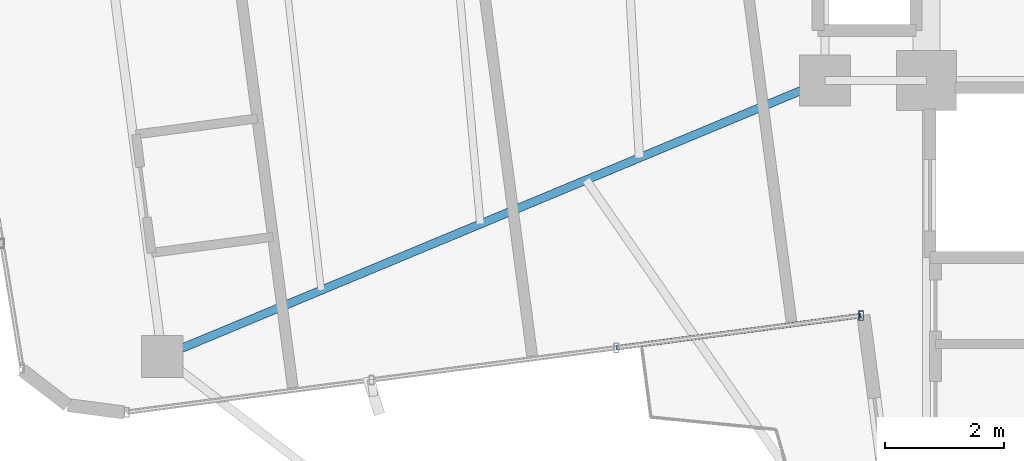
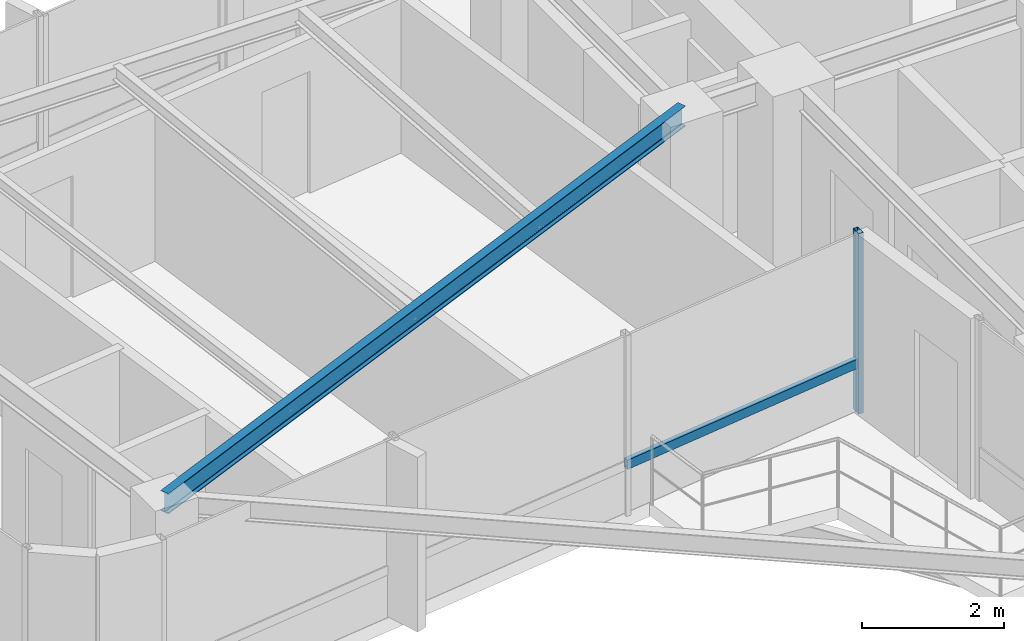
# One storey, part 3 of 22: 2 members, 1 beam, 1 element without a shape of its own.
"""IFC4 building model written with IfcOpenShell, lengths in metres."""

from ifc_helpers import new_model, si_unit, direction, frame, origin, origin_2d, place, context, subcontext, project, spatial, hollow_rectangle, i_section, extrude, source, transform, mapped, material, material_profile, profile_set, type_object, element, aggregate, save


model = new_model("IFC4")

# Units and contexts
model_context = context("Model", 3, precision=1e-05, world=origin(), true_north=direction((0.0, 1.0)))
body_context = subcontext(model_context, "Body", "Model", "MODEL_VIEW")
ifc_project = project(units=[si_unit("LENGTHUNIT", "METRE"), si_unit("AREAUNIT", "SQUARE_METRE"), si_unit("VOLUMEUNIT", "CUBIC_METRE"), si_unit("PLANEANGLEUNIT", "RADIAN"), si_unit("MASSUNIT", "GRAM", prefix="KILO")], contexts=[model_context])

# Site, building, storey
site_placement = place(None, origin())
site = spatial("IfcSite", under=ifc_project, at=site_placement, CompositionType="ELEMENT")
building_placement = place(site_placement, origin())
building = spatial("IfcBuilding", under=site, at=building_placement, Name="Sahyath Konkavel Grand Hotel", CompositionType="ELEMENT")
storey_placement = place(building_placement, frame((0.0, 0.0, 223.25)))
storey = spatial("IfcBuildingStorey", under=building, at=storey_placement, Name="L62", CompositionType="ELEMENT", Elevation=223.25)

# Beam
ifc_material_1 = material(Name="Steel E350", Category="steel")
ifc_material_profile_1 = material_profile(ifc_material_1, i_section(OverallWidth=0.139892578125, OverallDepth=0.35009765625, WebThickness=0.008056640625, FlangeThickness=0.01416015625, FilletRadius=0.013916015625, at=origin_2d()), Name="ISMB 350")
ifc_profile_set_1 = profile_set([ifc_material_profile_1], Name="Steel E350")
beam_type = type_object("IfcBeamType", Name="BM-ISMB350", PredefinedType="BEAM", material=ifc_profile_set_1)
shared_shape_1 = source(origin(), body_context, "Body", "SweptSolid", [
    extrude(i_section(OverallWidth=0.139892578125, OverallDepth=0.35009765625, WebThickness=0.008056640625, FlangeThickness=0.01416015625, FilletRadius=0.013916015625, at=origin_2d()), origin(), (0.0, 0.0, 1.0), 12.021484375),
])
beam_placement = place(storey_placement, frame((-5.5, -2.39990234375, 2.93505859375), z_axis=(-0.923250473767, -0.384198597979, 0.0), x_axis=(0.384198597979, -0.923250473767, 0.0)))
element("IfcBeam", 1, at=beam_placement, inside=storey, type_object=beam_type, Name="L62 Cruciform Radial Girder WB", PredefinedType="BEAM", context=body_context, shape_type="MappedRepresentation", body=[
    mapped(shared_shape_1, transform((0.0, 0.0, 0.0), scale=1.0)),
])

# Curtain wall, members
ifc_material_2 = material(Name="Anodised Bronze Aluminium & Low-E Glazing", Category="aluminium")
curtain_wall_type = type_object("IfcCurtainWallType", Name="CW-ZONE4", PredefinedType="NOTDEFINED", material=ifc_material_2)
curtain_wall_placement = place(storey_placement, origin())
curtain_wall = element("IfcCurtainWall", 2, at=curtain_wall_placement, inside=storey, type_object=curtain_wall_type, Name="L62 Unitised Curtain Wall F23", PredefinedType="NOTDEFINED")
ifc_material_3 = material(Name="Anodised Bronze Aluminium", Category="aluminium")
ifc_material_profile_2 = material_profile(ifc_material_3, hollow_rectangle(XDim=0.080078125, YDim=0.159912109375, WallThickness=0.006103515625, at=origin_2d()), Name="RHS 160x80x6")
ifc_profile_set_2 = profile_set([ifc_material_profile_2], Name="Anodised Bronze Aluminium")
member_type_1 = type_object("IfcMemberType", Name="CW-MUL-160", PredefinedType="MULLION", material=ifc_profile_set_2)
shared_shape_2 = source(origin(), body_context, "Body", "SweptSolid", [
    extrude(hollow_rectangle(XDim=0.080078125, YDim=0.159912109375, WallThickness=0.006103515625, at=origin_2d()), origin(), (0.0, 0.0, 1.0), 3.110107421875),
])
member_1_placement = place(storey_placement, frame((-4.89697265625, -6.33544921875, 0.0), z_axis=(0.0, 0.0, 1.0), x_axis=(1.0, 0.0, 0.0)))
member_1 = element("IfcMember", 3, at=member_1_placement, type_object=member_type_1, Name="L62 Curtain Wall Mullion F23-3", PredefinedType="MULLION", context=body_context, shape_type="MappedRepresentation", body=[
    mapped(shared_shape_2, transform((0.0, 0.0, 0.0), scale=1.0)),
])
ifc_material_profile_3 = material_profile(ifc_material_3, hollow_rectangle(XDim=0.080078125, YDim=0.159912109375, WallThickness=0.006103515625, at=origin_2d()), Name="RHS 160x80x6")
ifc_profile_set_3 = profile_set([ifc_material_profile_3], Name="Anodised Bronze Aluminium")
member_type_2 = type_object("IfcMemberType", Name="CW-TRN-160", PredefinedType="USERDEFINED", material=ifc_profile_set_3)
shared_shape_3 = source(origin(), body_context, "Body", "SweptSolid", [
    extrude(hollow_rectangle(XDim=0.080078125, YDim=0.159912109375, WallThickness=0.006103515625, at=origin_2d()), origin(), (0.0, 0.0, 1.0), 4.1337890625),
])
member_2_placement = place(storey_placement, frame((-8.995361328125, -6.875, 0.85009765625), z_axis=(0.991445247163, 0.130523261824, 0.0), x_axis=(-0.130523261824, 0.991445247163, 0.0)))
member_2 = element("IfcMember", 4, at=member_2_placement, type_object=member_type_2, Name="L62 Curtain Wall Transom F23-2-spandrel", ObjectType="TRANSOM", PredefinedType="USERDEFINED", context=body_context, shape_type="MappedRepresentation", body=[
    mapped(shared_shape_3, transform((0.0, 0.0, 0.0), scale=1.0)),
])
aggregate(curtain_wall, [member_1, member_2])

save(model, "model.ifc")
